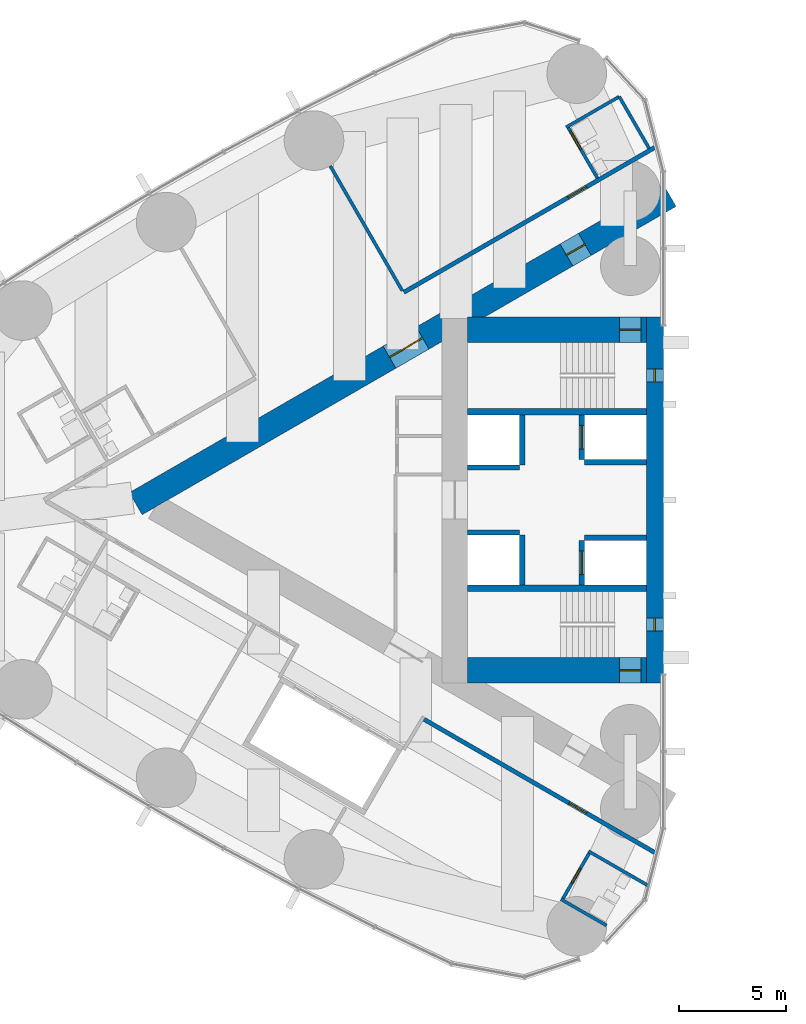
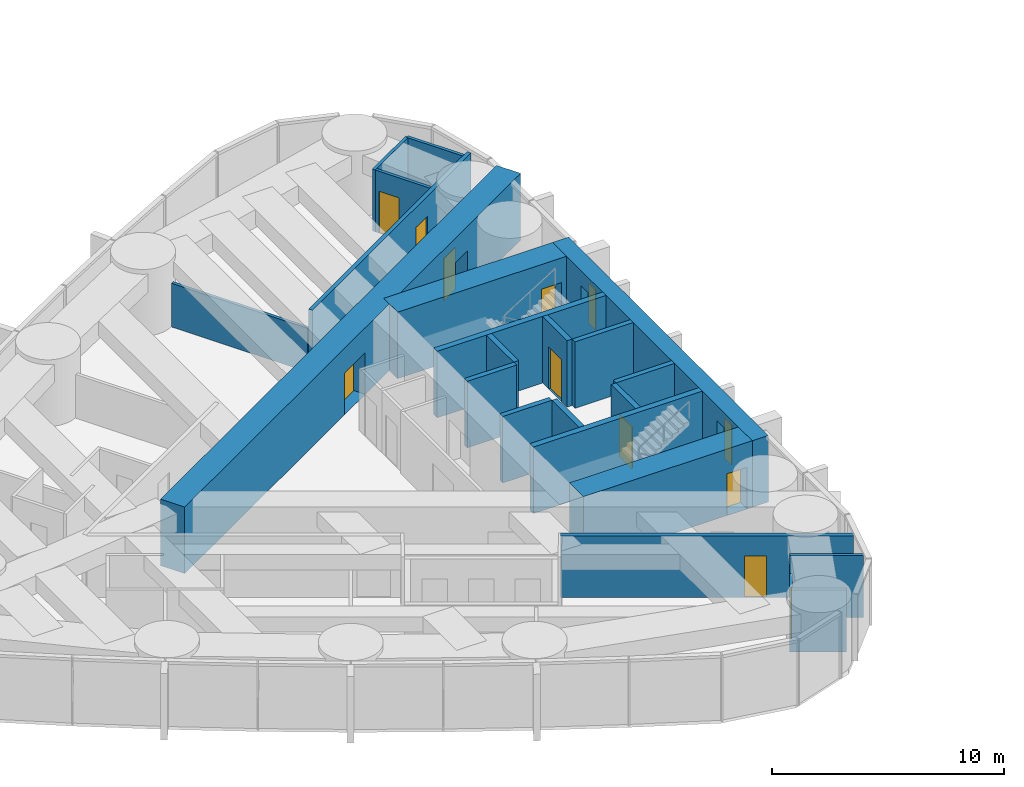
# One storey, part 13 of 18: 23 walls, 10 doors, 2 windows, 12 openings.
"""IFC4 building model written with IfcOpenShell, lengths in metres."""

from ifc_helpers import new_model, si_unit, direction, frame, frame_2d, origin, place, context, subcontext, project, spatial, rectangle, extrude, material, layer, layer_set, type_object, element, fill, save


model = new_model("IFC4")

# Units and contexts
model_context = context("Model", 3, precision=1e-05, world=origin(), true_north=direction((0.0, 1.0)))
body_context = subcontext(model_context, "Body", "Model", "MODEL_VIEW")
ifc_project = project(units=[si_unit("LENGTHUNIT", "METRE"), si_unit("AREAUNIT", "SQUARE_METRE"), si_unit("VOLUMEUNIT", "CUBIC_METRE"), si_unit("PLANEANGLEUNIT", "RADIAN"), si_unit("MASSUNIT", "GRAM", prefix="KILO")], contexts=[model_context])

# Site, building, storey
site_placement = place(None, origin())
site = spatial("IfcSite", under=ifc_project, at=site_placement, CompositionType="ELEMENT")
building_placement = place(site_placement, origin())
building = spatial("IfcBuilding", under=site, at=building_placement, Name="Lancet Gate Hotel", CompositionType="ELEMENT")
storey_placement = place(building_placement, frame((0.0, 0.0, 166.800048828125)))
storey = spatial("IfcBuildingStorey", under=building, at=storey_placement, Name="L44", CompositionType="ELEMENT", Elevation=166.800048828125)

# Wall
ifc_material_1 = material(Name="Moisture resistant board partition")
ifc_layer_1 = layer(ifc_material_1, 0.14990234375)
ifc_layer_set_1 = layer_set([ifc_layer_1], Name="Bathroom wall 150")
wall_type_1 = type_object("IfcWallType", Name="Bathroom wall 150", PredefinedType="PARTITIONING", material=ifc_layer_set_1)
wall_1_placement = place(storey_placement, frame((-29.56982421875, 18.936279296875, 0.0), z_axis=(0.0, 0.0, 1.0), x_axis=(-0.866018712932, -0.500011588718, 0.0)))
element("IfcWall", 1, at=wall_1_placement, inside=storey, type_object=wall_type_1, Name="T1 bathroom wall 150 L44", PredefinedType="PARTITIONING", context=body_context, shape_type="SweptSolid", body=[
    extrude(rectangle(XDim=2.875, YDim=0.14990234375, at=frame_2d((1.4375, 0.0))), origin(), (0.0, 0.0, 1.0), 3.25),
])

# Wall, opening, door
wall_2_placement = place(storey_placement, frame((-30.5947265625, 15.111328125, 0.0), z_axis=(0.0, 0.0, 1.0), x_axis=(-0.49998411664, 0.866034573852, 0.0)))
wall_2 = element("IfcWall", 2, at=wall_2_placement, inside=storey, type_object=wall_type_1, Name="T1 bathroom wall 150 L44", PredefinedType="PARTITIONING", context=body_context, shape_type="SweptSolid", body=[
    extrude(rectangle(XDim=2.7998046875, YDim=0.14990234375, at=frame_2d((1.39990234375, 0.0))), origin(), (0.0, 0.0, 1.0), 3.25),
])
opening_1_placement = place(wall_2_placement, frame((1.550048828125, 0.0, 0.0)))
opening_1 = element("IfcOpeningElement", 3, at=opening_1_placement, cuts=wall_2, Name="Opening 4401-B", PredefinedType="OPENING", context=body_context, shape_type="SweptSolid", body=[
    extrude(rectangle(XDim=1.0, YDim=2.199951171875, at=frame_2d((0.5, 1.10009765625))), frame((0.0, 0.0849609375, 0.0), z_axis=(0.0, -1.0, 0.0), x_axis=(1.0, 0.0, 0.0)), (0.0, 0.0, 1.0), 0.169921875),
])
ifc_material_2 = material(Name="Timber door set", Category="wood")
door_type_1 = type_object("IfcDoorType", Name="Accessible en-suite door 1000", OperationType="SINGLE_SWING_RIGHT", PredefinedType="DOOR", material=ifc_material_2)
door_1_placement = place(opening_1_placement, origin())
door_1 = element("IfcDoor", 4, at=door_1_placement, inside=storey, type_object=door_type_1, Name="4401-B", OperationType="SINGLE_SWING_RIGHT", OverallHeight=2.199951171875, OverallWidth=1.0, PredefinedType="DOOR", context=body_context, shape_type="SweptSolid", body=[
    extrude(rectangle(XDim=1.0, YDim=2.199951171875, at=frame_2d((0.5, 1.10009765625))), frame((0.0, 0.02490234375, 0.0), z_axis=(0.0, -1.0, 0.0), x_axis=(1.0, 0.0, 0.0)), (0.0, 0.0, 1.0), 0.050048828125),
])
fill(opening_1, door_1)

# Walls
wall_3_placement = place(storey_placement, frame((-28.169921875, 16.51123046875, 0.0), z_axis=(0.0, 0.0, 1.0), x_axis=(-0.49994636267, 0.866056369097, 0.0)))
element("IfcWall", 5, at=wall_3_placement, inside=storey, type_object=wall_type_1, Name="T1 bathroom wall 150 L44", PredefinedType="PARTITIONING", context=body_context, shape_type="SweptSolid", body=[
    extrude(rectangle(XDim=2.800048828125, YDim=0.14990234375, at=frame_2d((1.39990234375, 0.0))), origin(), (0.0, 0.0, 1.0), 3.25),
])
wall_4_placement = place(storey_placement, frame((-30.169921875, -19.975341796875, 0.0), z_axis=(0.0, 0.0, 1.0), x_axis=(-0.866006523861, 0.500032699561, 0.0)))
element("IfcWall", 6, at=wall_4_placement, inside=storey, type_object=wall_type_1, Name="T1 bathroom wall 150 L44", PredefinedType="PARTITIONING", context=body_context, shape_type="SweptSolid", body=[
    extrude(rectangle(XDim=2.474853515625, YDim=0.14990234375, at=frame_2d((1.2373046875, 0.0))), origin(), (0.0, 0.0, 1.0), 3.25),
])

# Wall, opening, door
wall_5_placement = place(storey_placement, frame((-30.9482421875, -16.523681640625, 0.0), z_axis=(0.0, 0.0, 1.0), x_axis=(-0.500006934395, -0.866021400173, 0.0)))
wall_5 = element("IfcWall", 7, at=wall_5_placement, inside=storey, type_object=wall_type_1, Name="T1 bathroom wall 150 L44", PredefinedType="PARTITIONING", context=body_context, shape_type="SweptSolid", body=[
    extrude(rectangle(XDim=2.60009765625, YDim=0.14990234375, at=frame_2d((1.300048828125, 0.0))), origin(), (0.0, 0.0, 1.0), 2.300048828125),
])
opening_2_placement = place(wall_5_placement, frame((0.89990234375, 0.0, 0.0)))
opening_2 = element("IfcOpeningElement", 8, at=opening_2_placement, cuts=wall_5, Name="Opening 4408-B", PredefinedType="OPENING", context=body_context, shape_type="SweptSolid", body=[
    extrude(rectangle(XDim=0.800048828125, YDim=2.199951171875, at=frame_2d((0.39990234375, 1.10009765625))), frame((0.0, 0.0849609375, 0.0), z_axis=(0.0, -1.0, 0.0), x_axis=(1.0, 0.0, 0.0)), (0.0, 0.0, 1.0), 0.169921875),
])
ifc_material_3 = material(Name="Timber door set", Category="wood")
door_type_2 = type_object("IfcDoorType", Name="Bathroom door 800", OperationType="SINGLE_SWING_RIGHT", PredefinedType="DOOR", material=ifc_material_3)
door_2_placement = place(opening_2_placement, origin())
door_2 = element("IfcDoor", 9, at=door_2_placement, inside=storey, type_object=door_type_2, Name="4408-B", OperationType="SINGLE_SWING_RIGHT", OverallHeight=2.199951171875, OverallWidth=0.800048828125, PredefinedType="DOOR", context=body_context, shape_type="SweptSolid", body=[
    extrude(rectangle(XDim=0.800048828125, YDim=2.199951171875, at=frame_2d((0.39990234375, 1.10009765625))), frame((0.0, 0.02490234375, 0.0), z_axis=(0.0, -1.0, 0.0), x_axis=(1.0, 0.0, 0.0)), (0.0, 0.0, 1.0), 0.050048828125),
])
fill(opening_2, door_2)

# Wall
wall_6_placement = place(storey_placement, frame((-28.246337890625, -18.083740234375, 0.0), z_axis=(0.0, 0.0, 1.0), x_axis=(-0.866029063467, 0.49999366119, 0.0)))
element("IfcWall", 10, at=wall_6_placement, inside=storey, type_object=wall_type_1, Name="T1 bathroom wall 150 L44", PredefinedType="PARTITIONING", context=body_context, shape_type="SweptSolid", body=[
    extrude(rectangle(XDim=3.19482421875, YDim=0.14990234375, at=frame_2d((1.597412109375, 0.0))), origin(), (0.0, 0.0, 1.0), 3.25),
])

# Wall, openings, doors
ifc_material_4 = material(Name="Concrete C70/85", Category="concrete")
ifc_layer_2 = layer(ifc_material_4, 1.199951171875)
ifc_layer_set_2 = layer_set([ifc_layer_2], Name="Buttress wall 1200")
wall_type_2 = type_object("IfcWallType", Name="Buttress wall 1200", PredefinedType="SHEAR", material=ifc_layer_set_2)
wall_7_placement = place(storey_placement, frame((-27.199951171875, 14.300048828125, 0.0), z_axis=(0.0, 0.0, 1.0), x_axis=(-0.866026593062, -0.499997940104, 0.0)))
wall_7 = element("IfcWall", 11, at=wall_7_placement, inside=storey, type_object=wall_type_2, Name="T1 buttress wall S L44", PredefinedType="SHEAR", context=body_context, shape_type="SweptSolid", body=[
    extrude(rectangle(XDim=28.9462890625, YDim=1.199951171875, at=frame_2d((14.47314453125, 0.0))), origin(), (0.0, 0.0, 1.0), 3.5),
])
opening_3_placement = place(wall_7_placement, frame((4.60009765625, 0.0, 0.0)))
opening_3 = element("IfcOpeningElement", 12, at=opening_3_placement, cuts=wall_7, Name="Opening T1-L44-LS", PredefinedType="OPENING", context=body_context, shape_type="SweptSolid", body=[
    extrude(rectangle(XDim=1.0, YDim=2.199951171875, at=frame_2d((0.5, 1.10009765625))), frame((0.0, 0.60986328125, 0.0), z_axis=(0.0, -1.0, 0.0), x_axis=(1.0, 0.0, 0.0)), (0.0, 0.0, 1.0), 1.219970703125),
])
opening_4_placement = place(wall_7_placement, frame((13.39453125, 0.0, 0.0)))
opening_4 = element("IfcOpeningElement", 13, at=opening_4_placement, cuts=wall_7, Name="Opening T1-L44-LHS", PredefinedType="OPENING", context=body_context, shape_type="SweptSolid", body=[
    extrude(rectangle(XDim=1.800048828125, YDim=2.199951171875, at=frame_2d((0.89990234375, 1.10009765625))), frame((0.0, 0.60986328125, 0.0), z_axis=(0.0, -1.0, 0.0), x_axis=(1.0, 0.0, 0.0)), (0.0, 0.0, 1.0), 1.219970703125),
])
ifc_material_5 = material(Name="Timber door set", Category="wood")
door_type_3 = type_object("IfcDoorType", Name="Lobby double door 1800", OperationType="DOUBLE_DOOR_SINGLE_SWING", PredefinedType="DOOR", material=ifc_material_5)
door_3_placement = place(opening_4_placement, origin())
door_3 = element("IfcDoor", 14, at=door_3_placement, inside=storey, type_object=door_type_3, Name="T1-L44-LHS", OperationType="DOUBLE_DOOR_SINGLE_SWING", OverallHeight=2.199951171875, OverallWidth=1.800048828125, PredefinedType="DOOR", context=body_context, shape_type="SweptSolid", body=[
    extrude(rectangle(XDim=1.800048828125, YDim=2.199951171875, at=frame_2d((0.89990234375, 1.10009765625))), frame((0.0, 0.02490234375, 0.0), z_axis=(0.0, -1.0, 0.0), x_axis=(1.0, 0.0, 0.0)), (0.0, 0.0, 1.0), 0.050048828125),
])
fill(opening_4, door_3)
ifc_material_6 = material(Name="Timber door set", Category="wood")
door_type_4 = type_object("IfcDoorType", Name="Stair lobby door 1000", OperationType="SINGLE_SWING_LEFT", PredefinedType="DOOR", material=ifc_material_6)
door_4_placement = place(opening_3_placement, origin())
door_4 = element("IfcDoor", 15, at=door_4_placement, inside=storey, type_object=door_type_4, Name="T1-L44-LS", OperationType="SINGLE_SWING_LEFT", OverallHeight=2.199951171875, OverallWidth=1.0, PredefinedType="DOOR", context=body_context, shape_type="SweptSolid", body=[
    extrude(rectangle(XDim=1.0, YDim=2.199951171875, at=frame_2d((0.5, 1.10009765625))), frame((0.0, 0.02490234375, 0.0), z_axis=(0.0, -1.0, 0.0), x_axis=(1.0, 0.0, 0.0)), (0.0, 0.0, 1.0), 0.050048828125),
])
fill(opening_3, door_4)

# Wall, opening, door
ifc_material_7 = material(Name="Concrete C70/85", Category="concrete")
ifc_layer_3 = layer(ifc_material_7, 1.199951171875)
ifc_layer_set_3 = layer_set([ifc_layer_3], Name="Core wall 1200")
wall_type_3 = type_object("IfcWallType", Name="Core wall 1200", PredefinedType="SHEAR", material=ifc_layer_set_3)
wall_8_placement = place(storey_placement, frame((-28.300048828125, 8.0, 0.0), z_axis=(0.0, 0.0, 1.0), x_axis=(-1.0, 0.0, 0.0)))
wall_8 = element("IfcWall", 16, at=wall_8_placement, inside=storey, type_object=wall_type_3, Name="T1 core wall side-S L44", PredefinedType="SHEAR", context=body_context, shape_type="SweptSolid", body=[
    extrude(rectangle(XDim=8.39990234375, YDim=1.199951171875, at=frame_2d((4.199951171875, 0.0))), origin(), (0.0, 0.0, 1.0), 3.5),
])
opening_5_placement = place(wall_8_placement, frame((0.25, 0.0, 0.0)))
opening_5 = element("IfcOpeningElement", 17, at=opening_5_placement, cuts=wall_8, Name="Opening T1-L44-ST1", PredefinedType="OPENING", context=body_context, shape_type="SweptSolid", body=[
    extrude(rectangle(XDim=1.0, YDim=2.199951171875, at=frame_2d((0.5, 1.10009765625))), frame((0.0, 0.60986328125, 0.0), z_axis=(0.0, -1.0, 0.0), x_axis=(1.0, 0.0, 0.0)), (0.0, 0.0, 1.0), 1.219970703125),
])
ifc_material_8 = material(Name="Timber door set", Category="wood")
door_type_5 = type_object("IfcDoorType", Name="Stair door 1000", OperationType="SINGLE_SWING_RIGHT", PredefinedType="DOOR", material=ifc_material_8)
door_5_placement = place(opening_5_placement, origin())
door_5 = element("IfcDoor", 18, at=door_5_placement, inside=storey, type_object=door_type_5, Name="T1-L44-ST1", OperationType="SINGLE_SWING_RIGHT", OverallHeight=2.199951171875, OverallWidth=1.0, PredefinedType="DOOR", context=body_context, shape_type="SweptSolid", body=[
    extrude(rectangle(XDim=1.0, YDim=2.199951171875, at=frame_2d((0.5, 1.10009765625))), frame((0.0, 0.02490234375, 0.0), z_axis=(0.0, -1.0, 0.0), x_axis=(1.0, 0.0, 0.0)), (0.0, 0.0, 1.0), 0.050048828125),
])
fill(opening_5, door_5)

wall_9_placement = place(storey_placement, frame((-28.300048828125, -8.0, 0.0), z_axis=(0.0, 0.0, 1.0), x_axis=(-1.0, 0.0, 0.0)))
wall_9 = element("IfcWall", 19, at=wall_9_placement, inside=storey, type_object=wall_type_3, Name="T1 core wall side-N L44", PredefinedType="SHEAR", context=body_context, shape_type="SweptSolid", body=[
    extrude(rectangle(XDim=8.39990234375, YDim=1.199951171875, at=frame_2d((4.199951171875, 0.0))), origin(), (0.0, 0.0, 1.0), 3.5),
])
opening_6_placement = place(wall_9_placement, frame((0.25, 0.0, 0.0)))
opening_6 = element("IfcOpeningElement", 20, at=opening_6_placement, cuts=wall_9, Name="Opening T1-L44-ST2", PredefinedType="OPENING", context=body_context, shape_type="SweptSolid", body=[
    extrude(rectangle(XDim=1.0, YDim=2.199951171875, at=frame_2d((0.5, 1.10009765625))), frame((0.0, 0.60986328125, 0.0), z_axis=(0.0, -1.0, 0.0), x_axis=(1.0, 0.0, 0.0)), (0.0, 0.0, 1.0), 1.219970703125),
])
door_6_placement = place(opening_6_placement, origin())
door_6 = element("IfcDoor", 21, at=door_6_placement, inside=storey, type_object=door_type_5, Name="T1-L44-ST2", OperationType="SINGLE_SWING_RIGHT", OverallHeight=2.199951171875, OverallWidth=1.0, PredefinedType="DOOR", context=body_context, shape_type="SweptSolid", body=[
    extrude(rectangle(XDim=1.0, YDim=2.199951171875, at=frame_2d((0.5, 1.10009765625))), frame((0.0, 0.02490234375, 0.0), z_axis=(0.0, -1.0, 0.0), x_axis=(1.0, 0.0, 0.0)), (0.0, 0.0, 1.0), 0.050048828125),
])
fill(opening_6, door_6)

# Wall, openings, windows
ifc_material_9 = material(Name="Concrete C70/85", Category="concrete")
ifc_layer_4 = layer(ifc_material_9, 0.800048828125)
ifc_layer_set_4 = layer_set([ifc_layer_4], Name="Core wall 800")
wall_type_4 = type_object("IfcWallType", Name="Core wall 800", PredefinedType="SHEAR", material=ifc_layer_set_4)
wall_10_placement = place(storey_placement, frame((-27.89990234375, 8.60009765625, 0.0), z_axis=(0.0, 0.0, 1.0), x_axis=(0.0, -1.0, 0.0)))
wall_10 = element("IfcWall", 22, at=wall_10_placement, inside=storey, type_object=wall_type_4, Name="T1 core wall front L44", PredefinedType="SHEAR", context=body_context, shape_type="SweptSolid", body=[
    extrude(rectangle(XDim=17.2001953125, YDim=0.800048828125, at=frame_2d((8.60009765625, 0.0))), origin(), (0.0, 0.0, 1.0), 3.5),
])
opening_7_placement = place(wall_10_placement, frame((2.449951171875, 0.0, 0.60009765625)))
opening_7 = element("IfcOpeningElement", 23, at=opening_7_placement, cuts=wall_10, Name="Opening LW1", PredefinedType="OPENING", context=body_context, shape_type="SweptSolid", body=[
    extrude(rectangle(XDim=0.60009765625, YDim=2.10009765625, at=frame_2d((0.300048828125, 1.050048828125))), frame((0.0, 0.409912109375, 0.0), z_axis=(0.0, -1.0, 0.0), x_axis=(1.0, 0.0, 0.0)), (0.0, 0.0, 1.0), 0.820068359375),
])
opening_8_placement = place(wall_10_placement, frame((14.14990234375, 0.0, 0.60009765625)))
opening_8 = element("IfcOpeningElement", 24, at=opening_8_placement, cuts=wall_10, Name="Opening LW1", PredefinedType="OPENING", context=body_context, shape_type="SweptSolid", body=[
    extrude(rectangle(XDim=0.60009765625, YDim=2.10009765625, at=frame_2d((0.300048828125, 1.050048828125))), frame((0.0, 0.409912109375, 0.0), z_axis=(0.0, -1.0, 0.0), x_axis=(1.0, 0.0, 0.0)), (0.0, 0.0, 1.0), 0.820068359375),
])
ifc_material_10 = material(Name="Fire-resisting glazed steel window", Category="steel")
window_type = type_object("IfcWindowType", Name="Lancet window 600x2100", PartitioningType="SINGLE_PANEL", PredefinedType="WINDOW", material=ifc_material_10)
window_1_placement = place(opening_7_placement, origin())
window_1 = element("IfcWindow", 25, at=window_1_placement, inside=storey, type_object=window_type, Name="T1 stair window S L44", OverallHeight=2.10009765625, OverallWidth=0.60009765625, PartitioningType="SINGLE_PANEL", PredefinedType="WINDOW", context=body_context, shape_type="SweptSolid", body=[
    extrude(rectangle(XDim=0.60009765625, YDim=2.10009765625, at=frame_2d((0.300048828125, 1.050048828125))), frame((0.0, 0.030029296875, 0.0), z_axis=(0.0, -1.0, 0.0), x_axis=(1.0, 0.0, 0.0)), (0.0, 0.0, 1.0), 0.06005859375),
])
fill(opening_7, window_1)
window_2_placement = place(opening_8_placement, origin())
window_2 = element("IfcWindow", 26, at=window_2_placement, inside=storey, type_object=window_type, Name="T1 stair window N L44", OverallHeight=2.10009765625, OverallWidth=0.60009765625, PartitioningType="SINGLE_PANEL", PredefinedType="WINDOW", context=body_context, shape_type="SweptSolid", body=[
    extrude(rectangle(XDim=0.60009765625, YDim=2.10009765625, at=frame_2d((0.300048828125, 1.050048828125))), frame((0.0, 0.030029296875, 0.0), z_axis=(0.0, -1.0, 0.0), x_axis=(1.0, 0.0, 0.0)), (0.0, 0.0, 1.0), 0.06005859375),
])
fill(opening_8, window_2)

# Wall, opening, door
ifc_material_11 = material(Name="Gypsum board partition")
ifc_layer_5 = layer(ifc_material_11, 0.199951171875)
ifc_layer_set_5 = layer_set([ifc_layer_5], Name="Corridor wall 200")
wall_type_5 = type_object("IfcWallType", Name="Corridor wall 200", PredefinedType="PARTITIONING", material=ifc_layer_set_5)
wall_11_placement = place(storey_placement, frame((-27.860107421875, -16.57470703125, 0.0), z_axis=(0.0, 0.0, 1.0), x_axis=(-0.866027756871, 0.499995924312, 0.0)))
wall_11 = element("IfcWall", 27, at=wall_11_placement, inside=storey, type_object=wall_type_5, Name="T1 corridor wall 200 L44", PredefinedType="PARTITIONING", context=body_context, shape_type="SweptSolid", body=[
    extrude(rectangle(XDim=12.6220703125, YDim=0.199951171875, at=frame_2d((6.31103515625, 0.0))), origin(), (0.0, 0.0, 1.0), 3.25),
])
opening_9_placement = place(wall_11_placement, frame((3.75, 0.0, 0.0)))
opening_9 = element("IfcOpeningElement", 28, at=opening_9_placement, cuts=wall_11, Name="Opening 4408-E", PredefinedType="OPENING", context=body_context, shape_type="SweptSolid", body=[
    extrude(rectangle(XDim=0.949951171875, YDim=2.199951171875, at=frame_2d((0.47509765625, 1.10009765625))), frame((0.0, 0.10986328125, 0.0), z_axis=(0.0, -1.0, 0.0), x_axis=(1.0, 0.0, 0.0)), (0.0, 0.0, 1.0), 0.219970703125),
])
ifc_material_12 = material(Name="Timber door set", Category="wood")
door_type_6 = type_object("IfcDoorType", Name="Guest room entry door 950", OperationType="SINGLE_SWING_LEFT", PredefinedType="DOOR", material=ifc_material_12)
door_7_placement = place(opening_9_placement, origin())
door_7 = element("IfcDoor", 29, at=door_7_placement, inside=storey, type_object=door_type_6, Name="4408-E", OperationType="SINGLE_SWING_LEFT", OverallHeight=2.199951171875, OverallWidth=0.949951171875, PredefinedType="DOOR", context=body_context, shape_type="SweptSolid", body=[
    extrude(rectangle(XDim=0.949951171875, YDim=2.199951171875, at=frame_2d((0.47509765625, 1.10009765625))), frame((0.0, 0.02490234375, 0.0), z_axis=(0.0, -1.0, 0.0), x_axis=(1.0, 0.0, 0.0)), (0.0, 0.0, 1.0), 0.050048828125),
])
fill(opening_9, door_7)

wall_12_placement = place(storey_placement, frame((-27.860107421875, 16.57470703125, 0.0), z_axis=(0.0, 0.0, 1.0), x_axis=(-0.866026850238, -0.499997494661, 0.0)))
wall_12 = element("IfcWall", 30, at=wall_12_placement, inside=storey, type_object=wall_type_5, Name="T1 corridor wall 200 L44", PredefinedType="PARTITIONING", context=body_context, shape_type="SweptSolid", body=[
    extrude(rectangle(XDim=13.6513671875, YDim=0.199951171875, at=frame_2d((6.82568359375, 0.0))), origin(), (0.0, 0.0, 1.0), 3.25),
])
opening_10_placement = place(wall_12_placement, frame((3.75, 0.0, 0.0)))
opening_10 = element("IfcOpeningElement", 31, at=opening_10_placement, cuts=wall_12, Name="Opening 4401-E", PredefinedType="OPENING", context=body_context, shape_type="SweptSolid", body=[
    extrude(rectangle(XDim=1.0, YDim=2.199951171875, at=frame_2d((0.5, 1.10009765625))), frame((0.0, 0.10986328125, 0.0), z_axis=(0.0, -1.0, 0.0), x_axis=(1.0, 0.0, 0.0)), (0.0, 0.0, 1.0), 0.219970703125),
])
ifc_material_13 = material(Name="Timber door set", Category="wood")
door_type_7 = type_object("IfcDoorType", Name="Accessible guest room door 1000", OperationType="SINGLE_SWING_LEFT", PredefinedType="DOOR", material=ifc_material_13)
door_8_placement = place(opening_10_placement, origin())
door_8 = element("IfcDoor", 32, at=door_8_placement, inside=storey, type_object=door_type_7, Name="4401-E", OperationType="SINGLE_SWING_LEFT", OverallHeight=2.199951171875, OverallWidth=1.0, PredefinedType="DOOR", context=body_context, shape_type="SweptSolid", body=[
    extrude(rectangle(XDim=1.0, YDim=2.199951171875, at=frame_2d((0.5, 1.10009765625))), frame((0.0, 0.02490234375, 0.0), z_axis=(0.0, -1.0, 0.0), x_axis=(1.0, 0.0, 0.0)), (0.0, 0.0, 1.0), 0.050048828125),
])
fill(opening_10, door_8)

ifc_material_14 = material(Name="Concrete C50/60", Category="concrete")
ifc_layer_6 = layer(ifc_material_14, 0.25)
ifc_layer_set_6 = layer_set([ifc_layer_6], Name="Lift shaft wall 250")
wall_type_6 = type_object("IfcWallType", Name="Lift shaft wall 250", PredefinedType="SHEAR", material=ifc_layer_set_6)
wall_13_placement = place(storey_placement, frame((-31.324951171875, 4.0, 0.0), z_axis=(0.0, 0.0, 1.0), x_axis=(0.0, -1.0, 0.0)))
wall_13 = element("IfcWall", 33, at=wall_13_placement, inside=storey, type_object=wall_type_6, Name="T1 core wall row1-S L44", PredefinedType="SHEAR", context=body_context, shape_type="SweptSolid", body=[
    extrude(rectangle(XDim=2.10009765625, YDim=0.25, at=frame_2d((1.050048828125, 0.0))), origin(), (0.0, 0.0, 1.0), 3.5),
])
opening_11_placement = place(wall_13_placement, frame((0.5, 0.0, 0.0)))
opening_11 = element("IfcOpeningElement", 34, at=opening_11_placement, cuts=wall_13, Name="Opening T1-SL1-L44", PredefinedType="OPENING", context=body_context, shape_type="SweptSolid", body=[
    extrude(rectangle(XDim=1.10009765625, YDim=2.199951171875, at=frame_2d((0.550048828125, 1.10009765625))), frame((0.0, 0.135009765625, 0.0), z_axis=(0.0, -1.0, 0.0), x_axis=(1.0, 0.0, 0.0)), (0.0, 0.0, 1.0), 0.27001953125),
])
ifc_material_15 = material(Name="Timber door set", Category="wood")
door_type_8 = type_object("IfcDoorType", Name="Service lift landing door 1100", OperationType="SLIDING_TO_LEFT", PredefinedType="USERDEFINED", material=ifc_material_15)
door_9_placement = place(opening_11_placement, origin())
door_9 = element("IfcDoor", 35, at=door_9_placement, inside=storey, type_object=door_type_8, Name="T1-SL1-L44", ObjectType="LIFT LANDING DOOR", OperationType="SLIDING_TO_LEFT", OverallHeight=2.199951171875, OverallWidth=1.10009765625, PredefinedType="USERDEFINED", context=body_context, shape_type="SweptSolid", body=[
    extrude(rectangle(XDim=1.10009765625, YDim=2.199951171875, at=frame_2d((0.550048828125, 1.10009765625))), frame((0.0, 0.02490234375, 0.0), z_axis=(0.0, -1.0, 0.0), x_axis=(1.0, 0.0, 0.0)), (0.0, 0.0, 1.0), 0.050048828125),
])
fill(opening_11, door_9)

# Walls
wall_14_placement = place(storey_placement, frame((-34.125, 4.0, 0.0), z_axis=(0.0, 0.0, 1.0), x_axis=(0.0, -1.0, 0.0)))
element("IfcWall", 36, at=wall_14_placement, inside=storey, type_object=wall_type_6, Name="T1 core wall row2-S L44", PredefinedType="SHEAR", context=body_context, shape_type="SweptSolid", body=[
    extrude(rectangle(XDim=2.35009765625, YDim=0.25, at=frame_2d((1.175048828125, 0.0))), origin(), (0.0, 0.0, 1.0), 3.5),
])
wall_15_placement = place(storey_placement, frame((-28.300048828125, 1.77490234375, 0.0), z_axis=(0.0, 0.0, 1.0), x_axis=(-1.0, 0.0, 0.0)))
element("IfcWall", 37, at=wall_15_placement, inside=storey, type_object=wall_type_6, Name="T1 core wall pass1-S L44", PredefinedType="SHEAR", context=body_context, shape_type="SweptSolid", body=[
    extrude(rectangle(XDim=2.89990234375, YDim=0.25, at=frame_2d((1.449951171875, 0.0))), origin(), (0.0, 0.0, 1.0), 3.5),
])
wall_16_placement = place(storey_placement, frame((-34.25, 1.52490234375, 0.0), z_axis=(0.0, 0.0, 1.0), x_axis=(-1.0, 0.0, 0.0)))
element("IfcWall", 38, at=wall_16_placement, inside=storey, type_object=wall_type_6, Name="T1 core wall pass2-S L44", PredefinedType="SHEAR", context=body_context, shape_type="SweptSolid", body=[
    extrude(rectangle(XDim=2.449951171875, YDim=0.25, at=frame_2d((1.22509765625, 0.0))), origin(), (0.0, 0.0, 1.0), 3.5),
])

# Wall, opening, door
wall_17_placement = place(storey_placement, frame((-31.324951171875, -1.89990234375, 0.0), z_axis=(0.0, 0.0, 1.0), x_axis=(0.0, -1.0, 0.0)))
wall_17 = element("IfcWall", 39, at=wall_17_placement, inside=storey, type_object=wall_type_6, Name="T1 core wall row1-N L44", PredefinedType="SHEAR", context=body_context, shape_type="SweptSolid", body=[
    extrude(rectangle(XDim=2.10009765625, YDim=0.25, at=frame_2d((1.050048828125, 0.0))), origin(), (0.0, 0.0, 1.0), 3.5),
])
opening_12_placement = place(wall_17_placement, frame((0.5, 0.0, 0.0)))
opening_12 = element("IfcOpeningElement", 40, at=opening_12_placement, cuts=wall_17, Name="Opening T1-FL2-L44", PredefinedType="OPENING", context=body_context, shape_type="SweptSolid", body=[
    extrude(rectangle(XDim=1.10009765625, YDim=2.199951171875, at=frame_2d((0.550048828125, 1.10009765625))), frame((0.0, 0.135009765625, 0.0), z_axis=(0.0, -1.0, 0.0), x_axis=(1.0, 0.0, 0.0)), (0.0, 0.0, 1.0), 0.27001953125),
])
ifc_material_16 = material(Name="Steel door set", Category="steel")
door_type_9 = type_object("IfcDoorType", Name="Firefighting lift landing door 1100", OperationType="SLIDING_TO_LEFT", PredefinedType="USERDEFINED", material=ifc_material_16)
door_10_placement = place(opening_12_placement, origin())
door_10 = element("IfcDoor", 41, at=door_10_placement, inside=storey, type_object=door_type_9, Name="T1-FL2-L44", ObjectType="LIFT LANDING DOOR", OperationType="SLIDING_TO_LEFT", OverallHeight=2.199951171875, OverallWidth=1.10009765625, PredefinedType="USERDEFINED", context=body_context, shape_type="SweptSolid", body=[
    extrude(rectangle(XDim=1.10009765625, YDim=2.199951171875, at=frame_2d((0.550048828125, 1.10009765625))), frame((0.0, 0.02490234375, 0.0), z_axis=(0.0, -1.0, 0.0), x_axis=(1.0, 0.0, 0.0)), (0.0, 0.0, 1.0), 0.050048828125),
])
fill(opening_12, door_10)

# Walls
wall_18_placement = place(storey_placement, frame((-34.125, -1.64990234375, 0.0), z_axis=(0.0, 0.0, 1.0), x_axis=(0.0, -1.0, 0.0)))
element("IfcWall", 42, at=wall_18_placement, inside=storey, type_object=wall_type_6, Name="T1 core wall row2-N L44", PredefinedType="SHEAR", context=body_context, shape_type="SweptSolid", body=[
    extrude(rectangle(XDim=2.35009765625, YDim=0.25, at=frame_2d((1.175048828125, 0.0))), origin(), (0.0, 0.0, 1.0), 3.5),
])
wall_19_placement = place(storey_placement, frame((-28.300048828125, -1.77490234375, 0.0), z_axis=(0.0, 0.0, 1.0), x_axis=(-1.0, 0.0, 0.0)))
element("IfcWall", 43, at=wall_19_placement, inside=storey, type_object=wall_type_6, Name="T1 core wall pass1-N L44", PredefinedType="SHEAR", context=body_context, shape_type="SweptSolid", body=[
    extrude(rectangle(XDim=2.89990234375, YDim=0.25, at=frame_2d((1.449951171875, 0.0))), origin(), (0.0, 0.0, 1.0), 3.5),
])
wall_20_placement = place(storey_placement, frame((-34.25, -1.52490234375, 0.0), z_axis=(0.0, 0.0, 1.0), x_axis=(-1.0, 0.0, 0.0)))
element("IfcWall", 44, at=wall_20_placement, inside=storey, type_object=wall_type_6, Name="T1 core wall pass2-N L44", PredefinedType="SHEAR", context=body_context, shape_type="SweptSolid", body=[
    extrude(rectangle(XDim=2.449951171875, YDim=0.25, at=frame_2d((1.22509765625, 0.0))), origin(), (0.0, 0.0, 1.0), 3.5),
])
ifc_material_17 = material(Name="Gypsum board partition")
ifc_layer_7 = layer(ifc_material_17, 0.14990234375)
ifc_layer_set_7 = layer_set([ifc_layer_7], Name="Party wall 150")
wall_type_7 = type_object("IfcWallType", Name="Party wall 150", PredefinedType="PARTITIONING", material=ifc_layer_set_7)
wall_21_placement = place(storey_placement, frame((-39.75439453125, 9.822998046875, 0.0), z_axis=(0.0, 0.0, 1.0), x_axis=(-0.499997670926, 0.866026748472, 0.0)))
element("IfcWall", 45, at=wall_21_placement, inside=storey, type_object=wall_type_7, Name="T1 party wall 150 L44", PredefinedType="PARTITIONING", context=body_context, shape_type="SweptSolid", body=[
    extrude(rectangle(XDim=6.75732421875, YDim=0.14990234375, at=frame_2d((3.378662109375, 0.0))), origin(), (0.0, 0.0, 1.0), 2.300048828125),
])
ifc_material_18 = material(Name="Concrete C50/60", Category="concrete")
ifc_layer_8 = layer(ifc_material_18, 0.300048828125)
ifc_layer_set_8 = layer_set([ifc_layer_8], Name="Stair enclosure wall 300")
wall_type_8 = type_object("IfcWallType", Name="Stair enclosure wall 300", PredefinedType="SHEAR", material=ifc_layer_set_8)
for number, where, z_axis, x_axis, name in (
    (46, (-28.300048828125, 4.14990234375, 0.0), (0.0, 0.0, 1.0), (-1.0, 0.0, 0.0), "T1 core wall stair-S L44"),
    (47, (-28.300048828125, -4.14990234375, 0.0), (0.0, 0.0, 1.0), (-1.0, 0.0, 0.0), "T1 core wall stair-N L44"),
):
    element("IfcWall", number, at=place(storey_placement, frame(where, z_axis=z_axis, x_axis=x_axis)), inside=storey, type_object=wall_type_8, Name=name, PredefinedType="SHEAR", context=body_context, shape_type="SweptSolid", body=[
        extrude(rectangle(XDim=8.39990234375, YDim=0.300048828125, at=frame_2d((4.199951171875, 0.0))), origin(), (0.0, 0.0, 1.0), 3.5),
    ])

save(model, "model.ifc")
